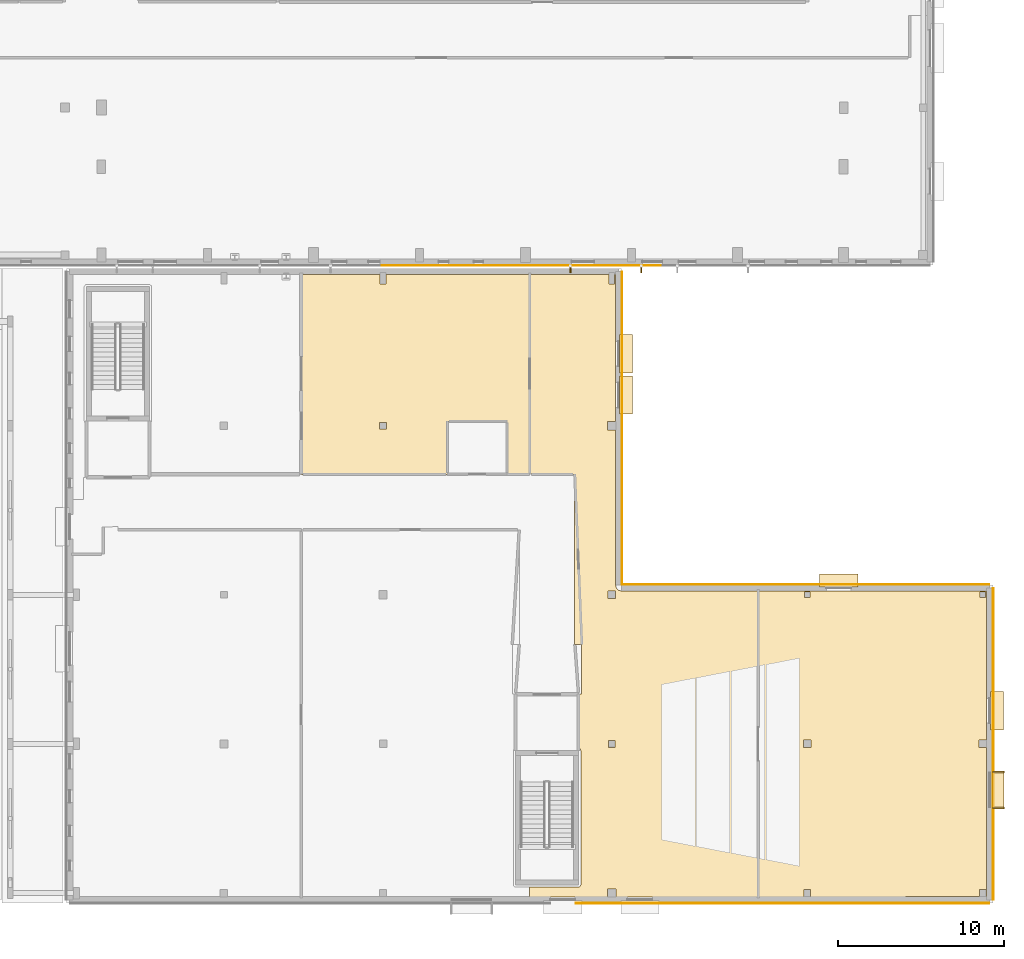
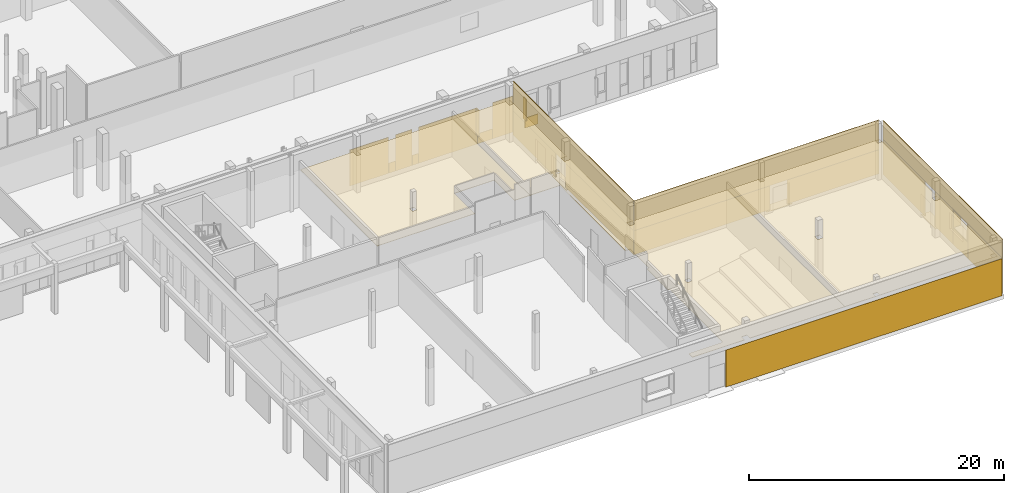
# One storey, part 79 of 84: 31 coverings, 2 shading devices.
"""IFC4 building model written with IfcOpenShell, lengths in metres."""

from ifc_helpers import new_model, si_unit, direction, frame, origin, origin_2d, place, context, subcontext, project, spatial, polyline, rectangle, outline, extrude, material, layer, layer_set, type_object, element, save


model = new_model("IFC4")

# Units and contexts
model_context = context("Model", 3, precision=1e-05, world=origin(), true_north=direction((0.0, 1.0)))
body_context = subcontext(model_context, "Body", "Model", "MODEL_VIEW")
ifc_project = project(units=[si_unit("LENGTHUNIT", "METRE"), si_unit("AREAUNIT", "SQUARE_METRE"), si_unit("VOLUMEUNIT", "CUBIC_METRE"), si_unit("PLANEANGLEUNIT", "RADIAN"), si_unit("MASSUNIT", "GRAM", prefix="KILO")], contexts=[model_context])

# Site, building, storey
site_placement = place(None, origin())
site = spatial("IfcSite", under=ifc_project, at=site_placement, CompositionType="ELEMENT")
building_placement = place(site_placement, origin())
building = spatial("IfcBuilding", under=site, at=building_placement, Name="Mzevani Central Library", CompositionType="ELEMENT")
storey_placement = place(building_placement, origin())
storey = spatial("IfcBuildingStorey", under=building, at=storey_placement, Name="L00", CompositionType="ELEMENT", Elevation=0.0)

# Shading devices
ifc_material_1 = material(Name="Anodized architectural bronze")
shading_device_type = type_object("IfcShadingDeviceType", Name="Anodized Bronze Vertical Sun-Breaker Fin", PredefinedType="USERDEFINED", material=ifc_material_1)
shading_device_1_placement = place(storey_placement, frame((146.780029296875, 42.27490234375, 0.949951171875), z_axis=(0.0, 0.0, 1.0), x_axis=(-1.0, 0.0, 0.0)))
element("IfcShadingDevice", 1, at=shading_device_1_placement, inside=storey, type_object=shading_device_type, Name="L00 V1 Solar Fin (7)", ObjectType="SOLAR FIN", PredefinedType="USERDEFINED", context=body_context, shape_type="SweptSolid", body=[
    extrude(rectangle(XDim=0.080078125, YDim=0.449951171875, at=origin_2d()), origin(), (0.0, 0.0, 1.0), 2.10009765625),
])
shading_device_2_placement = place(storey_placement, frame((142.5048828125, 42.27490234375, 0.949951171875), z_axis=(0.0, 0.0, 1.0), x_axis=(-1.0, 0.0, 0.0)))
element("IfcShadingDevice", 2, at=shading_device_2_placement, inside=storey, type_object=shading_device_type, Name="L00 V1 Solar Fin (8)", ObjectType="SOLAR FIN", PredefinedType="USERDEFINED", context=body_context, shape_type="SweptSolid", body=[
    extrude(rectangle(XDim=0.080078125, YDim=0.449951171875, at=origin_2d()), origin(), (0.0, 0.0, 1.0), 2.5),
])

# Coverings
ifc_material_2 = material(Name="Limestone ashlar cladding", Category="masonry")
ifc_layer_1 = layer(ifc_material_2, 0.050048828125, Name="Limestone Ashlar Spandrel Cladding")
ifc_layer_set_1 = layer_set([ifc_layer_1], Name="Limestone ashlar cladding")
covering_type_1 = type_object("IfcCoveringType", Name="Limestone Ashlar Spandrel Cladding", PredefinedType="CLADDING", material=ifc_layer_set_1)
covering_1_placement = place(storey_placement, frame((147.4599609375, 42.47607421875, 0.0), z_axis=(0.0, 0.0, 1.0), x_axis=(-1.0, 0.0, 0.0)))
element("IfcCovering", 3, at=covering_1_placement, inside=storey, type_object=covering_type_1, Name="L00 Warm-White Sill Cladding 14 (EW4-V1-L00-0002)", PredefinedType="CLADDING", context=body_context, shape_type="SweptSolid", body=[
    extrude(rectangle(XDim=1.199951171875, YDim=0.050048828125, at=origin_2d()), origin(), (0.0, 0.0, 1.0), 0.949951171875),
])
covering_2_placement = place(storey_placement, frame((145.3974609375, 42.47607421875, 0.0), z_axis=(0.0, 0.0, 1.0), x_axis=(-1.0, 0.0, 0.0)))
element("IfcCovering", 4, at=covering_2_placement, inside=storey, type_object=covering_type_1, Name="L00 Warm-White Facade Pier 15 (EW4-V1-L00-0002)", PredefinedType="CLADDING", context=body_context, shape_type="SweptSolid", body=[
    extrude(rectangle(XDim=2.885009765625, YDim=0.050048828125, at=origin_2d()), origin(), (0.0, 0.0, 1.0), 3.449951171875),
])
covering_3_placement = place(storey_placement, frame((143.260009765625, 42.47607421875, 0.0), z_axis=(0.0, 0.0, 1.0), x_axis=(-1.0, 0.0, 0.0)))
element("IfcCovering", 5, at=covering_3_placement, inside=storey, type_object=covering_type_1, Name="L00 Warm-White Sill Cladding 16 (EW4-V1-L00-0002)", PredefinedType="CLADDING", context=body_context, shape_type="SweptSolid", body=[
    extrude(rectangle(XDim=1.35009765625, YDim=0.050048828125, at=origin_2d()), origin(), (0.0, 0.0, 1.0), 0.949951171875),
])
covering_4_placement = place(storey_placement, frame((139.909912109375, 42.47607421875, 0.0), z_axis=(0.0, 0.0, 1.0), x_axis=(-1.0, 0.0, 0.0)))
element("IfcCovering", 6, at=covering_4_placement, inside=storey, type_object=covering_type_1, Name="L00 Warm-White Facade Pier 17 (EW4-V1-L00-0002)", PredefinedType="CLADDING", context=body_context, shape_type="SweptSolid", body=[
    extrude(rectangle(XDim=5.31005859375, YDim=0.050048828125, at=origin_2d()), origin(), (0.0, 0.0, 1.0), 3.449951171875),
])
covering_5_placement = place(storey_placement, frame((136.9599609375, 42.47607421875, 0.0), z_axis=(0.0, 0.0, 1.0), x_axis=(-1.0, 0.0, 0.0)))
element("IfcCovering", 7, at=covering_5_placement, inside=storey, type_object=covering_type_1, Name="L00 Warm-White Sill Cladding 18 (EW4-V1-L00-0002)", PredefinedType="CLADDING", context=body_context, shape_type="SweptSolid", body=[
    extrude(rectangle(XDim=0.550048828125, YDim=0.050048828125, at=origin_2d()), origin(), (0.0, 0.0, 1.0), 0.949951171875),
])
covering_6_placement = place(storey_placement, frame((135.922607421875, 42.47607421875, 0.0), z_axis=(0.0, 0.0, 1.0), x_axis=(-1.0, 0.0, 0.0)))
element("IfcCovering", 8, at=covering_6_placement, inside=storey, type_object=covering_type_1, Name="L00 Warm-White Facade Pier 19 (EW4-V1-L00-0002)", PredefinedType="CLADDING", context=body_context, shape_type="SweptSolid", body=[
    extrude(rectangle(XDim=1.485107421875, YDim=0.050048828125, at=origin_2d()), origin(), (0.0, 0.0, 1.0), 3.449951171875),
])
covering_7_placement = place(storey_placement, frame((134.860107421875, 42.47607421875, 0.0), z_axis=(0.0, 0.0, 1.0), x_axis=(-1.0, 0.0, 0.0)))
element("IfcCovering", 9, at=covering_7_placement, inside=storey, type_object=covering_type_1, Name="L00 Warm-White Sill Cladding 20 (EW4-V1-L00-0002)", PredefinedType="CLADDING", context=body_context, shape_type="SweptSolid", body=[
    extrude(rectangle(XDim=0.60009765625, YDim=0.050048828125, at=origin_2d()), origin(), (0.0, 0.0, 1.0), 0.949951171875),
])
covering_8_placement = place(storey_placement, frame((132.784912109375, 42.47607421875, 0.0), z_axis=(0.0, 0.0, 1.0), x_axis=(-1.0, 0.0, 0.0)))
element("IfcCovering", 10, at=covering_8_placement, inside=storey, type_object=covering_type_1, Name="L00 Warm-White Facade Pier 21 (EW4-V1-L00-0002)", PredefinedType="CLADDING", context=body_context, shape_type="SweptSolid", body=[
    extrude(rectangle(XDim=3.510009765625, YDim=0.050048828125, at=origin_2d()), origin(), (0.0, 0.0, 1.0), 3.449951171875),
])
for number, where, z_axis, x_axis, name in (
    (11, (168.337890625, 10.823486328125, 3.25), (0.0, 0.0, 1.0), (0.0, -1.0, 0.0), "L00 Deep Window Reveal HD (REV4-0192)"),
    (12, (168.337890625, 10.823486328125, 1.56005859375), (0.0, 0.0, 1.0), (0.0, -1.0, 0.0), "L00 Deep Window Reveal SL (REV4-0192)"),
):
    element("IfcCovering", number, at=place(storey_placement, frame(where, z_axis=z_axis, x_axis=x_axis)), inside=storey, type_object=covering_type_1, Name=name, PredefinedType="CLADDING", context=body_context, shape_type="SweptSolid", body=[
        extrude(rectangle(XDim=2.280029296875, YDim=0.679931640625, at=origin_2d()), origin(), (0.0, 0.0, 1.0), 0.090087890625),
    ])
for number, where, z_axis, x_axis, name in (
    (13, (168.337890625, 11.918701171875, 1.64990234375), (0.0, 0.0, 1.0), (0.0, -1.0, 0.0), "L00 Deep Window Reveal JL (REV4-0192)"),
    (14, (168.337890625, 9.728515625, 1.64990234375), (0.0, 0.0, 1.0), (0.0, -1.0, 0.0), "L00 Deep Window Reveal JR (REV4-0192)"),
):
    element("IfcCovering", number, at=place(storey_placement, frame(where, z_axis=z_axis, x_axis=x_axis)), inside=storey, type_object=covering_type_1, Name=name, PredefinedType="CLADDING", context=body_context, shape_type="SweptSolid", body=[
        extrude(rectangle(XDim=0.090087890625, YDim=0.679931640625, at=origin_2d()), origin(), (0.0, 0.0, 1.0), 1.60009765625),
    ])
covering_9_placement = place(storey_placement, frame((168.02392578125, 13.60009765625, 3.35009765625), z_axis=(0.0, 0.0, 1.0), x_axis=(0.0, -1.0, 0.0)))
element("IfcCovering", 15, at=covering_9_placement, inside=storey, type_object=covering_type_1, Name="L00 Warm-White Facade Spandrel (EW4-V6-L00-0100)", PredefinedType="CLADDING", context=body_context, shape_type="SweptSolid", body=[
    extrude(rectangle(XDim=18.780029296875, YDim=0.050048828125, at=origin_2d()), origin(), (0.0, 0.0, 1.0), 1.7900390625),
])
covering_10_placement = place(storey_placement, frame((168.02392578125, 19.679931640625, 0.0), z_axis=(0.0, 0.0, 1.0), x_axis=(0.0, -1.0, 0.0)))
element("IfcCovering", 16, at=covering_10_placement, inside=storey, type_object=covering_type_1, Name="L00 Warm-White Facade Pier 1 (EW4-V6-L00-0100)", PredefinedType="CLADDING", context=body_context, shape_type="SweptSolid", body=[
    extrude(rectangle(XDim=6.6201171875, YDim=0.050048828125, at=origin_2d()), origin(), (0.0, 0.0, 1.0), 3.35009765625),
])
covering_11_placement = place(storey_placement, frame((168.02392578125, 13.411865234375, 0.0), z_axis=(0.0, 0.0, 1.0), x_axis=(0.0, -1.0, 0.0)))
element("IfcCovering", 17, at=covering_11_placement, inside=storey, type_object=covering_type_1, Name="L00 Warm-White Facade Pier 2 (EW4-V6-L00-0100)", PredefinedType="CLADDING", context=body_context, shape_type="SweptSolid", body=[
    extrude(rectangle(XDim=2.83642578125, YDim=0.050048828125, at=origin_2d()), origin(), (0.0, 0.0, 1.0), 3.35009765625),
])
covering_12_placement = place(storey_placement, frame((168.02392578125, 10.823486328125, 0.0), z_axis=(0.0, 0.0, 1.0), x_axis=(0.0, -1.0, 0.0)))
element("IfcCovering", 18, at=covering_12_placement, inside=storey, type_object=covering_type_1, Name="L00 Warm-White Sill Cladding 3 (EW4-V6-L00-0100)", PredefinedType="CLADDING", context=body_context, shape_type="SweptSolid", body=[
    extrude(rectangle(XDim=2.300048828125, YDim=0.050048828125, at=origin_2d()), origin(), (0.0, 0.0, 1.0), 1.550048828125),
])
covering_13_placement = place(storey_placement, frame((168.02392578125, 6.931884765625, 0.0), z_axis=(0.0, 0.0, 1.0), x_axis=(0.0, -1.0, 0.0)))
element("IfcCovering", 19, at=covering_13_placement, inside=storey, type_object=covering_type_1, Name="L00 Warm-White Facade Pier 4 (EW4-V6-L00-0100)", PredefinedType="CLADDING", context=body_context, shape_type="SweptSolid", body=[
    extrude(rectangle(XDim=5.443603515625, YDim=0.050048828125, at=origin_2d()), origin(), (0.0, 0.0, 1.0), 3.35009765625),
])
covering_14_placement = place(storey_placement, frame((155.304931640625, 3.97607421875, 0.0), z_axis=(0.0, 0.0, 1.0), x_axis=(-1.0, 0.0, 0.0)))
element("IfcCovering", 20, at=covering_14_placement, inside=storey, type_object=covering_type_1, Name="L00 Warm-White Facade Pier 1 (EW4-V6-L00-0101)", PredefinedType="CLADDING", context=body_context, shape_type="SweptSolid", body=[
    extrude(rectangle(XDim=24.969970703125, YDim=0.050048828125, at=origin_2d()), origin(), (0.0, 0.0, 1.0), 3.550048828125),
])
covering_15_placement = place(storey_placement, frame((145.6240234375, 32.655029296875, 2.2998046875), z_axis=(0.0, 0.0, 1.0), x_axis=(0.0, -1.0, 0.0)))
element("IfcCovering", 21, at=covering_15_placement, inside=storey, type_object=covering_type_1, Name="L00 Warm-White Facade Spandrel (EW4-V6-L00-0104)", PredefinedType="CLADDING", context=body_context, shape_type="SweptSolid", body=[
    extrude(rectangle(XDim=18.8701171875, YDim=0.050048828125, at=origin_2d()), origin(), (0.0, 0.0, 1.0), 2.840087890625),
])
covering_16_placement = place(storey_placement, frame((145.6240234375, 38.757568359375, 0.0), z_axis=(0.0, 0.0, 1.0), x_axis=(0.0, -1.0, 0.0)))
element("IfcCovering", 22, at=covering_16_placement, inside=storey, type_object=covering_type_1, Name="L00 Warm-White Facade Pier 1 (EW4-V6-L00-0104)", PredefinedType="CLADDING", context=body_context, shape_type="SweptSolid", body=[
    extrude(rectangle(XDim=6.6650390625, YDim=0.050048828125, at=origin_2d()), origin(), (0.0, 0.0, 1.0), 2.300048828125),
])
covering_17_placement = place(storey_placement, frame((145.6240234375, 28.552490234375, 0.0), z_axis=(0.0, 0.0, 1.0), x_axis=(0.0, -1.0, 0.0)))
element("IfcCovering", 23, at=covering_17_placement, inside=storey, type_object=covering_type_1, Name="L00 Warm-White Facade Pier 2 (EW4-V6-L00-0104)", PredefinedType="CLADDING", context=body_context, shape_type="SweptSolid", body=[
    extrude(rectangle(XDim=10.6650390625, YDim=0.050048828125, at=origin_2d()), origin(), (0.0, 0.0, 1.0), 2.300048828125),
])
covering_18_placement = place(storey_placement, frame((156.705078125, 23.22412109375, 2.2998046875), z_axis=(0.0, 0.0, 1.0), x_axis=(1.0, 0.0, 0.0)))
element("IfcCovering", 24, at=covering_18_placement, inside=storey, type_object=covering_type_1, Name="L00 Warm-White Facade Spandrel (EW4-V6-L00-0105)", PredefinedType="CLADDING", context=body_context, shape_type="SweptSolid", body=[
    extrude(rectangle(XDim=22.169921875, YDim=0.050048828125, at=origin_2d()), origin(), (0.0, 0.0, 1.0), 2.840087890625),
])
covering_19_placement = place(storey_placement, frame((151.777587890625, 23.22412109375, 0.0), z_axis=(0.0, 0.0, 1.0), x_axis=(1.0, 0.0, 0.0)))
element("IfcCovering", 25, at=covering_19_placement, inside=storey, type_object=covering_type_1, Name="L00 Warm-White Facade Pier 1 (EW4-V6-L00-0105)", PredefinedType="CLADDING", context=body_context, shape_type="SweptSolid", body=[
    extrude(rectangle(XDim=12.31494140625, YDim=0.050048828125, at=origin_2d()), origin(), (0.0, 0.0, 1.0), 2.300048828125),
])
covering_20_placement = place(storey_placement, frame((163.632568359375, 23.22412109375, 0.0), z_axis=(0.0, 0.0, 1.0), x_axis=(1.0, 0.0, 0.0)))
element("IfcCovering", 26, at=covering_20_placement, inside=storey, type_object=covering_type_1, Name="L00 Warm-White Facade Pier 2 (EW4-V6-L00-0105)", PredefinedType="CLADDING", context=body_context, shape_type="SweptSolid", body=[
    extrude(rectangle(XDim=8.31494140625, YDim=0.050048828125, at=origin_2d()), origin(), (0.0, 0.0, 1.0), 2.300048828125),
])
ifc_material_3 = material(Name="Mineral wool acoustic ceiling")
ifc_layer_2 = layer(ifc_material_3, 0.0400390625, Name="Perforated Timber Acoustic Ceiling")
ifc_layer_set_2 = layer_set([ifc_layer_2], Name="Mineral wool acoustic ceiling")
covering_type_2 = type_object("IfcCoveringType", Name="Perforated Timber Acoustic Ceiling", PredefinedType="CEILING", material=ifc_layer_set_2)
covering_21_placement = place(storey_placement, frame((0.0, 0.0, 3.550048828125)))
element("IfcCovering", 27, at=covering_21_placement, inside=storey, type_object=covering_type_2, Name="L00 Youth Homework Commons Acoustic Ceiling", PredefinedType="CEILING", context=body_context, shape_type="SweptSolid", body=[
    extrude(outline(polyline([(138.68017578125, 29.8779296875), (138.679931640625, 33.070068359375), (135.10009765625, 33.070068359375), (135.09375, 29.870849609375), (126.2578125, 29.872802734375), (126.2578125, 41.927001953125), (131.02490234375, 41.929931640625), (131.02490234375, 41.35009765625), (131.375, 41.35009765625), (131.375, 41.929931640625), (140.05712890625, 41.927001953125), (140.06005859375, 29.87890625), (138.68017578125, 29.8779296875)]), holes=[polyline([(131.0, 33.0), (131.0, 32.60009765625), (131.39990234375, 32.60009765625), (131.39990234375, 33.0), (131.0, 33.0)])]), origin(), (0.0, 0.0, 1.0), 0.0400390625),
])
covering_22_placement = place(storey_placement, frame((0.0, 0.0, 3.550048828125)))
element("IfcCovering", 28, at=covering_22_placement, inside=storey, type_object=covering_type_2, Name="L00 Children's Picture-Book Reading Room 2 Acoustic Ceiling", PredefinedType="CEILING", context=body_context, shape_type="SweptSolid", body=[
    extrude(outline(polyline([(142.989990234375, 13.35009765625), (142.989990234375, 16.60009765625), (143.18994140625, 16.610107421875), (143.18994140625, 19.590087890625), (142.77001953125, 19.60009765625), (142.77001953125, 29.8701171875), (140.040283203125, 29.8779296875), (140.049072265625, 41.929931640625), (144.824951171875, 41.929931640625), (144.824951171875, 41.35009765625), (145.175048828125, 41.35009765625), (145.175048828125, 41.929931640625), (145.2294921875, 41.9228515625), (145.22998046875, 33.050048828125), (144.75, 33.050048828125), (144.75, 32.550048828125), (145.22998046875, 32.550048828125), (145.22998046875, 23.201416015625), (145.292724609375, 22.994384765625), (145.42578125, 22.8740234375), (145.601318359375, 22.830078125), (153.84423828125, 22.82373046875), (153.8427734375, 4.373779296875), (145.25, 4.3701171875), (145.25, 4.85009765625), (144.75, 4.85009765625), (144.75, 4.3701171875), (140.043701171875, 4.372314453125), (140.048095703125, 4.959716796875), (142.998046875, 4.9599609375), (143.098388671875, 5.001708984375), (143.139892578125, 5.10205078125), (143.139892578125, 13.197998046875), (143.098388671875, 13.29833984375), (142.989990234375, 13.35009765625)]), holes=[polyline([(145.199951171875, 13.39990234375), (145.199951171875, 13.800048828125), (144.800048828125, 13.800048828125), (144.800048828125, 13.39990234375), (145.199951171875, 13.39990234375)]), polyline([(144.77490234375, 22.375), (145.22509765625, 22.375), (145.22509765625, 22.824951171875), (144.77490234375, 22.824951171875), (144.77490234375, 22.375)])]), origin(), (0.0, 0.0, 1.0), 0.0400390625),
])
covering_23_placement = place(storey_placement, frame((0.0, 0.0, 3.550048828125)))
element("IfcCovering", 29, at=covering_23_placement, inside=storey, type_object=covering_type_2, Name="L00 Storytelling Amphitheatre 3 Acoustic Ceiling", PredefinedType="CEILING", context=body_context, shape_type="SweptSolid", body=[
    extrude(outline(polyline([(167.6298828125, 4.37890625), (153.827392578125, 4.373779296875), (153.82861328125, 22.82763671875), (167.627685546875, 22.826416015625), (167.6298828125, 4.37890625)]), holes=[polyline([(156.60009765625, 4.800048828125), (156.60009765625, 4.39990234375), (157.0, 4.39990234375), (157.0, 4.800048828125), (156.60009765625, 4.800048828125)]), polyline([(157.02490234375, 13.824951171875), (156.574951171875, 13.824951171875), (156.574951171875, 13.375), (157.02490234375, 13.375), (157.02490234375, 13.824951171875)]), polyline([(156.97509765625, 22.425048828125), (156.97509765625, 22.77490234375), (156.625, 22.77490234375), (156.625, 22.425048828125), (156.97509765625, 22.425048828125)]), polyline([(167.199951171875, 4.39990234375), (167.60009765625, 4.39990234375), (167.60009765625, 4.800048828125), (167.199951171875, 4.800048828125), (167.199951171875, 4.39990234375)]), polyline([(167.175048828125, 13.824951171875), (167.175048828125, 13.375), (167.625, 13.375), (167.625, 13.824951171875), (167.175048828125, 13.824951171875)]), polyline([(167.574951171875, 22.77490234375), (167.22509765625, 22.77490234375), (167.22509765625, 22.425048828125), (167.574951171875, 22.425048828125), (167.574951171875, 22.77490234375)])]), origin(), (0.0, 0.0, 1.0), 0.0400390625),
])
ifc_material_4 = material(Name="Terrazzo stone flooring", Category="masonry")
ifc_layer_3 = layer(ifc_material_4, 0.030029296875, Name="Terrazzo Stone Floor Finish")
ifc_layer_set_3 = layer_set([ifc_layer_3], Name="Terrazzo stone flooring")
covering_type_3 = type_object("IfcCoveringType", Name="Terrazzo Stone Floor Finish", PredefinedType="FLOORING", material=ifc_layer_set_3)
for number, where, z_axis, x_axis, name in (
    (30, (168.260009765625, 15.60009765625, -0.0400390625), (0.0, 0.0, 1.0), (0.0, -1.0, 0.0), "L00 V6 Exterior Entrance Threshold Apron (38)"),
    (31, (145.860107421875, 34.655029296875, -0.0400390625), (0.0, 0.0, 1.0), (0.0, -1.0, 0.0), "L00 V6 Exterior Entrance Threshold Apron (42)"),
    (32, (158.705078125, 23.4599609375, -0.0400390625), (0.0, 0.0, 1.0), (1.0, 0.0, 0.0), "L00 V6 Exterior Entrance Threshold Apron (43)"),
    (33, (145.860107421875, 37.14990234375, -0.0400390625), (0.0, 0.0, 1.0), (0.0, -1.0, 0.0), "L00 ST-11 Final Exit Discharge Apron"),
):
    element("IfcCovering", number, at=place(storey_placement, frame(where, z_axis=z_axis, x_axis=x_axis)), inside=storey, type_object=covering_type_3, Name=name, PredefinedType="FLOORING", context=body_context, shape_type="SweptSolid", body=[
        extrude(rectangle(XDim=2.300048828125, YDim=0.800048828125, at=origin_2d()), origin(), (0.0, 0.0, 1.0), 0.0400390625),
    ])

save(model, "model.ifc")
